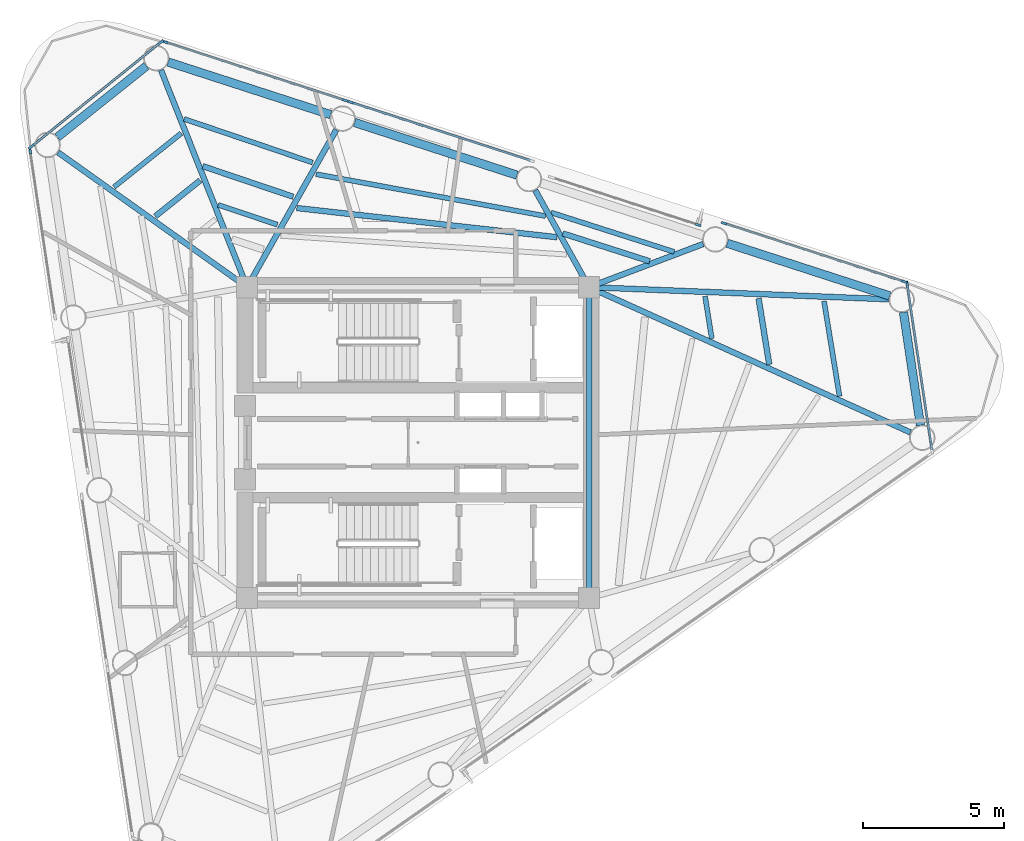
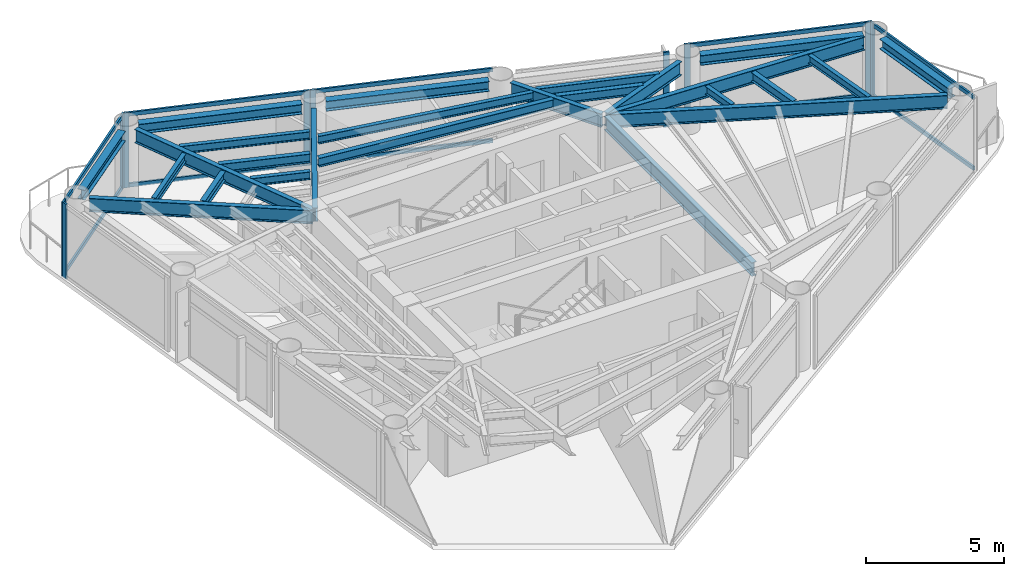
# One storey, part 3 of 9: 25 beams, 20 members, 7 elements without a shape of their own.
"""IFC4 building model written with IfcOpenShell, lengths in metres."""

from ifc_helpers import new_model, si_unit, direction, frame, origin, origin_2d, place, context, subcontext, project, spatial, rectangle, i_section, extrude, source, transform, mapped, material, layer, layer_set, material_profile, profile_set, type_object, element, aggregate, save


model = new_model("IFC4")

# Units and contexts
model_context = context("Model", 3, precision=1e-05, world=origin(), true_north=direction((0.0, 1.0)))
body_context = subcontext(model_context, "Body", "Model", "MODEL_VIEW")
ifc_project = project(units=[si_unit("LENGTHUNIT", "METRE"), si_unit("AREAUNIT", "SQUARE_METRE"), si_unit("VOLUMEUNIT", "CUBIC_METRE"), si_unit("PLANEANGLEUNIT", "RADIAN"), si_unit("MASSUNIT", "GRAM", prefix="KILO")], contexts=[model_context])

# Site, building, storey
site_placement = place(None, origin())
site = spatial("IfcSite", under=ifc_project, at=site_placement, CompositionType="ELEMENT")
building_placement = place(site_placement, origin())
building = spatial("IfcBuilding", under=site, at=building_placement, Name="Yunling Apex Tower", CompositionType="ELEMENT")
storey_placement = place(building_placement, frame((0.0, 0.0, 257.550048828125)))
storey = spatial("IfcBuildingStorey", under=building, at=storey_placement, Name="L62", CompositionType="ELEMENT", Elevation=257.550048828125)

# Beams
ifc_material_1 = material(Name="Steel Q355B", Category="steel")
ifc_material_profile_1 = material_profile(ifc_material_1, i_section(OverallWidth=0.199951171875, OverallDepth=0.60009765625, WebThickness=0.010986328125, FlangeThickness=0.01708984375, FilletRadius=0.02197265625, at=origin_2d()))
ifc_profile_set_1 = profile_set([ifc_material_profile_1], Name="Steel Q355B")
beam_type_1 = type_object("IfcBeamType", Name="BG-PRI-5", PredefinedType="USERDEFINED", material=ifc_profile_set_1)
shared_shape_1 = source(origin(), body_context, "Body", "SweptSolid", [
    extrude(i_section(OverallWidth=0.199951171875, OverallDepth=0.60009765625, WebThickness=0.010986328125, FlangeThickness=0.01708984375, FilletRadius=0.02197265625, at=origin_2d()), origin(), (0.0, 0.0, 1.0), 10.7001953125),
])
beam_1_placement = place(storey_placement, frame((6.050048828125, -5.35009765625, 2.919921875), z_axis=(0.0, 1.0, 0.0), x_axis=(-1.0, 0.0, 0.0)))
element("IfcBeam", 1, at=beam_1_placement, inside=storey, type_object=beam_type_1, Name="L62 Core Ring Tie Beam 2", ObjectType="GIRDER", PredefinedType="USERDEFINED", context=body_context, shape_type="MappedRepresentation", body=[
    mapped(shared_shape_1, transform((0.0, 0.0, 0.0), scale=1.0)),
])
ifc_material_profile_2 = material_profile(ifc_material_1, i_section(OverallWidth=0.300048828125, OverallDepth=0.43994140625, WebThickness=0.010986328125, FlangeThickness=0.01806640625, FilletRadius=0.02197265625, at=origin_2d()))
ifc_profile_set_2 = profile_set([ifc_material_profile_2], Name="Steel Q355B")
beam_type_2 = type_object("IfcBeamType", Name="BP-SPN-3", PredefinedType="SPANDREL", material=ifc_profile_set_2)
shared_shape_2 = source(origin(), body_context, "Body", "SweptSolid", [
    extrude(i_section(OverallWidth=0.300048828125, OverallDepth=0.43994140625, WebThickness=0.010986328125, FlangeThickness=0.01806640625, FilletRadius=0.02197265625, at=origin_2d()), origin(), (0.0, 0.0, 1.0), 6.043701171875),
])
for number, where, z_axis, x_axis, name in (
    (2, (16.687744140625, 5.189208984375, 3.0), (-0.951260618597, 0.308388124782, 0.0), (-0.308388124782, -0.951260618597, 0.0), "L62 Perimeter Spandrel Beam 6"),
    (3, (3.5, 9.464111328125, 3.0), (-0.951264460229, 0.30837627455, 0.0), (-0.30837627455, -0.951264460229, 0.0), "L62 Perimeter Spandrel Beam 8"),
    (4, (-3.093994140625, 11.601806640625, 3.0), (-0.951276309474, 0.308339720167, 0.0), (-0.308339720167, -0.951276309474, 0.0), "L62 Perimeter Spandrel Beam 9"),
):
    element("IfcBeam", number, at=place(storey_placement, frame(where, z_axis=z_axis, x_axis=x_axis)), inside=storey, type_object=beam_type_2, Name=name, PredefinedType="SPANDREL", context=body_context, shape_type="MappedRepresentation", body=[
        mapped(shared_shape_2, transform((0.0, 0.0, 0.0), scale=1.0)),
    ])
shared_shape_3 = source(origin(), body_context, "Body", "SweptSolid", [
    extrude(i_section(OverallWidth=0.300048828125, OverallDepth=0.43994140625, WebThickness=0.010986328125, FlangeThickness=0.01806640625, FilletRadius=0.02197265625, at=origin_2d()), origin(), (0.0, 0.0, 1.0), 4.047607421875),
])
beam_2_placement = place(storey_placement, frame((17.774169921875, 0.610107421875, 3.0), z_axis=(-0.147836074483, 0.98901187813, 0.0), x_axis=(-0.98901187813, -0.147836074483, 0.0)))
element("IfcBeam", 5, at=beam_2_placement, inside=storey, type_object=beam_type_2, Name="L62 Perimeter Spandrel Beam 5", PredefinedType="SPANDREL", context=body_context, shape_type="MappedRepresentation", body=[
    mapped(shared_shape_3, transform((0.0, 0.0, 0.0), scale=1.0)),
])
shared_shape_4 = source(origin(), body_context, "Body", "SweptSolid", [
    extrude(i_section(OverallWidth=0.300048828125, OverallDepth=0.43994140625, WebThickness=0.010986328125, FlangeThickness=0.01806640625, FilletRadius=0.02197265625, at=origin_2d()), origin(), (0.0, 0.0, 1.0), 4.03125),
])
beam_3_placement = place(storey_placement, frame((-9.612548828125, 13.3251953125, 3.0), z_axis=(-0.781412081213, -0.624015351842, 0.0), x_axis=(0.624015351842, -0.781412081213, 0.0)))
element("IfcBeam", 6, at=beam_3_placement, inside=storey, type_object=beam_type_2, Name="L62 Perimeter Spandrel Beam 10", PredefinedType="SPANDREL", context=body_context, shape_type="MappedRepresentation", body=[
    mapped(shared_shape_4, transform((0.0, 0.0, 0.0), scale=1.0)),
])
shared_shape_5 = source(origin(), body_context, "Body", "SweptSolid", [
    extrude(i_section(OverallWidth=0.199951171875, OverallDepth=0.60009765625, WebThickness=0.010986328125, FlangeThickness=0.01708984375, FilletRadius=0.02197265625, at=origin_2d()), origin(), (0.0, 0.0, 1.0), 12.400146484375),
])
beam_4_placement = place(storey_placement, frame((17.42236328125, 0.359619140625, 2.919921875), z_axis=(-0.911237617223, 0.411881056809, 0.0), x_axis=(-0.411881056809, -0.911237617223, 0.0)))
element("IfcBeam", 7, at=beam_4_placement, inside=storey, type_object=beam_type_1, Name="L62 Radial Primary Girder R05", ObjectType="GIRDER", PredefinedType="USERDEFINED", context=body_context, shape_type="MappedRepresentation", body=[
    mapped(shared_shape_5, transform((0.0, 0.0, 0.0), scale=1.0)),
])
shared_shape_6 = source(origin(), body_context, "Body", "SweptSolid", [
    extrude(i_section(OverallWidth=0.199951171875, OverallDepth=0.60009765625, WebThickness=0.010986328125, FlangeThickness=0.01708984375, FilletRadius=0.02197265625, at=origin_2d()), origin(), (0.0, 0.0, 1.0), 10.53125),
])
beam_5_placement = place(storey_placement, frame((16.652587890625, 5.07080078125, 2.919921875), z_axis=(-0.99918143594, 0.040453158992, 0.0), x_axis=(-0.040453158992, -0.99918143594, 0.0)))
element("IfcBeam", 8, at=beam_5_placement, inside=storey, type_object=beam_type_1, Name="L62 Radial Primary Girder R06", ObjectType="GIRDER", PredefinedType="USERDEFINED", context=body_context, shape_type="MappedRepresentation", body=[
    mapped(shared_shape_6, transform((0.0, 0.0, 0.0), scale=1.0)),
])
shared_shape_7 = source(origin(), body_context, "Body", "SweptSolid", [
    extrude(i_section(OverallWidth=0.199951171875, OverallDepth=0.60009765625, WebThickness=0.010986328125, FlangeThickness=0.01708984375, FilletRadius=0.02197265625, at=origin_2d()), origin(), (0.0, 0.0, 1.0), 4.2373046875),
])
beam_6_placement = place(storey_placement, frame((10.087890625, 7.02783203125, 2.919921875), z_axis=(-0.935290380754, -0.353881199938, 0.0), x_axis=(0.353881199938, -0.935290380754, 0.0)))
element("IfcBeam", 9, at=beam_6_placement, inside=storey, type_object=beam_type_1, Name="L62 Radial Primary Girder R07", ObjectType="GIRDER", PredefinedType="USERDEFINED", context=body_context, shape_type="MappedRepresentation", body=[
    mapped(shared_shape_7, transform((0.0, 0.0, 0.0), scale=1.0)),
])
shared_shape_8 = source(origin(), body_context, "Body", "SweptSolid", [
    extrude(i_section(OverallWidth=0.199951171875, OverallDepth=0.60009765625, WebThickness=0.010986328125, FlangeThickness=0.01708984375, FilletRadius=0.02197265625, at=origin_2d()), origin(), (0.0, 0.0, 1.0), 3.841064453125),
])
beam_7_placement = place(storey_placement, frame((4.144775390625, 8.927001953125, 2.919921875), z_axis=(0.485864181632, -0.874034322557, 0.0), x_axis=(0.874034322557, 0.485864181632, 0.0)))
element("IfcBeam", 10, at=beam_7_placement, inside=storey, type_object=beam_type_1, Name="L62 Radial Primary Girder R08", ObjectType="GIRDER", PredefinedType="USERDEFINED", context=body_context, shape_type="MappedRepresentation", body=[
    mapped(shared_shape_8, transform((0.0, 0.0, 0.0), scale=1.0)),
])
shared_shape_9 = source(origin(), body_context, "Body", "SweptSolid", [
    extrude(i_section(OverallWidth=0.199951171875, OverallDepth=0.60009765625, WebThickness=0.010986328125, FlangeThickness=0.01708984375, FilletRadius=0.02197265625, at=origin_2d()), origin(), (0.0, 0.0, 1.0), 6.317138671875),
])
beam_8_placement = place(storey_placement, frame((-2.8974609375, 11.06640625, 2.919921875), z_axis=(-0.492793153417, -0.870146486487, 0.0), x_axis=(0.870146486487, -0.492793153417, 0.0)))
element("IfcBeam", 11, at=beam_8_placement, inside=storey, type_object=beam_type_1, Name="L62 Radial Primary Girder R09", ObjectType="GIRDER", PredefinedType="USERDEFINED", context=body_context, shape_type="MappedRepresentation", body=[
    mapped(shared_shape_9, transform((0.0, 0.0, 0.0), scale=1.0)),
])
shared_shape_10 = source(origin(), body_context, "Body", "SweptSolid", [
    extrude(i_section(OverallWidth=0.199951171875, OverallDepth=0.60009765625, WebThickness=0.010986328125, FlangeThickness=0.01708984375, FilletRadius=0.02197265625, at=origin_2d()), origin(), (0.0, 0.0, 1.0), 8.178955078125),
])
beam_9_placement = place(storey_placement, frame((-9.0966796875, 13.176513671875, 2.919921875), z_axis=(0.368888092437, -0.929473816338, 0.0), x_axis=(0.929473816338, 0.368888092437, 0.0)))
element("IfcBeam", 12, at=beam_9_placement, inside=storey, type_object=beam_type_1, Name="L62 Radial Primary Girder R10", ObjectType="GIRDER", PredefinedType="USERDEFINED", context=body_context, shape_type="MappedRepresentation", body=[
    mapped(shared_shape_10, transform((0.0, 0.0, 0.0), scale=1.0)),
])
shared_shape_11 = source(origin(), body_context, "Body", "SweptSolid", [
    extrude(i_section(OverallWidth=0.199951171875, OverallDepth=0.60009765625, WebThickness=0.010986328125, FlangeThickness=0.01708984375, FilletRadius=0.02197265625, at=origin_2d()), origin(), (0.0, 0.0, 1.0), 8.132080078125),
])
beam_10_placement = place(storey_placement, frame((-12.73681640625, 10.2666015625, 2.919921875), z_axis=(0.814294994921, -0.580451256564, 0.0), x_axis=(0.580451256564, 0.814294994921, 0.0)))
element("IfcBeam", 13, at=beam_10_placement, inside=storey, type_object=beam_type_1, Name="L62 Radial Primary Girder R11", ObjectType="GIRDER", PredefinedType="USERDEFINED", context=body_context, shape_type="MappedRepresentation", body=[
    mapped(shared_shape_11, transform((0.0, 0.0, 0.0), scale=1.0)),
])
ifc_material_profile_3 = material_profile(ifc_material_1, i_section(OverallWidth=0.199951171875, OverallDepth=0.39990234375, WebThickness=0.008056640625, FlangeThickness=0.012939453125, FilletRadius=0.01611328125, at=origin_2d()))
ifc_profile_set_3 = profile_set([ifc_material_profile_3], Name="Steel Q355B")
beam_type_3 = type_object("IfcBeamType", Name="BS-SEC-4", PredefinedType="BEAM", material=ifc_profile_set_3)
shared_shape_12 = source(origin(), body_context, "Body", "SweptSolid", [
    extrude(i_section(OverallWidth=0.199951171875, OverallDepth=0.39990234375, WebThickness=0.008056640625, FlangeThickness=0.012939453125, FilletRadius=0.01611328125, at=origin_2d()), origin(), (0.0, 0.0, 1.0), 2.36572265625),
])
beam_11_placement = place(storey_placement, frame((12.425048828125, 2.764892578125, 3.02001953125), z_axis=(-0.159342756426, 0.987223321227, 0.0), x_axis=(-0.987223321227, -0.159342756426, 0.0)))
element("IfcBeam", 14, at=beam_11_placement, inside=storey, type_object=beam_type_3, Name="L62 Composite Floor Beam BS-5", PredefinedType="BEAM", context=body_context, shape_type="MappedRepresentation", body=[
    mapped(shared_shape_12, transform((0.0, 0.0, 0.0), scale=1.0)),
])
ifc_material_profile_4 = material_profile(ifc_material_1, i_section(OverallWidth=0.175048828125, OverallDepth=0.35009765625, WebThickness=0.007080078125, FlangeThickness=0.010986328125, FilletRadius=0.013916015625, at=origin_2d()))
ifc_profile_set_4 = profile_set([ifc_material_profile_4], Name="Steel Q355B")
beam_type_4 = type_object("IfcBeamType", Name="BJ-JST-1", PredefinedType="JOIST", material=ifc_profile_set_4)
shared_shape_13 = source(origin(), body_context, "Body", "SweptSolid", [
    extrude(i_section(OverallWidth=0.175048828125, OverallDepth=0.35009765625, WebThickness=0.007080078125, FlangeThickness=0.010986328125, FilletRadius=0.013916015625, at=origin_2d()), origin(), (0.0, 0.0, 1.0), 3.40966796875),
])
beam_12_placement = place(storey_placement, frame((14.910888671875, 1.64111328125, 3.044921875), z_axis=(-0.160600982695, 0.987019414377, 0.0), x_axis=(-0.987019414377, -0.160600982695, 0.0)))
element("IfcBeam", 15, at=beam_12_placement, inside=storey, type_object=beam_type_4, Name="L62 Composite Floor Joist BJ1-5", PredefinedType="JOIST", context=body_context, shape_type="MappedRepresentation", body=[
    mapped(shared_shape_13, transform((0.0, 0.0, 0.0), scale=1.0)),
])
shared_shape_14 = source(origin(), body_context, "Body", "SweptSolid", [
    extrude(i_section(OverallWidth=0.175048828125, OverallDepth=0.35009765625, WebThickness=0.007080078125, FlangeThickness=0.010986328125, FilletRadius=0.013916015625, at=origin_2d()), origin(), (0.0, 0.0, 1.0), 1.51171875),
])
beam_13_placement = place(storey_placement, frame((10.3916015625, 3.68408203125, 3.044921875), z_axis=(-0.157297614413, 0.987551244493, 0.0), x_axis=(-0.987551244493, -0.157297614413, 0.0)))
element("IfcBeam", 16, at=beam_13_placement, inside=storey, type_object=beam_type_4, Name="L62 Composite Floor Joist BJ3-5", PredefinedType="JOIST", context=body_context, shape_type="MappedRepresentation", body=[
    mapped(shared_shape_14, transform((0.0, 0.0, 0.0), scale=1.0)),
])
shared_shape_15 = source(origin(), body_context, "Body", "SweptSolid", [
    extrude(i_section(OverallWidth=0.199951171875, OverallDepth=0.39990234375, WebThickness=0.008056640625, FlangeThickness=0.012939453125, FilletRadius=0.01611328125, at=origin_2d()), origin(), (0.0, 0.0, 1.0), 3.22705078125),
])
beam_14_placement = place(storey_placement, frame((8.191650390625, 6.416748046875, 3.02001953125), z_axis=(-0.952339781695, 0.305039243708, 0.0), x_axis=(-0.305039243708, -0.952339781695, 0.0)))
element("IfcBeam", 17, at=beam_14_placement, inside=storey, type_object=beam_type_3, Name="L62 Composite Floor Beam BS-7", PredefinedType="BEAM", context=body_context, shape_type="MappedRepresentation", body=[
    mapped(shared_shape_15, transform((0.0, 0.0, 0.0), scale=1.0)),
])
shared_shape_16 = source(origin(), body_context, "Body", "SweptSolid", [
    extrude(i_section(OverallWidth=0.175048828125, OverallDepth=0.35009765625, WebThickness=0.007080078125, FlangeThickness=0.010986328125, FilletRadius=0.013916015625, at=origin_2d()), origin(), (0.0, 0.0, 1.0), 4.572998046875),
])
beam_15_placement = place(storey_placement, frame((9.0634765625, 6.74658203125, 3.044921875), z_axis=(-0.952472485452, 0.304624628776, 0.0), x_axis=(-0.304624628776, -0.952472485452, 0.0)))
element("IfcBeam", 18, at=beam_15_placement, inside=storey, type_object=beam_type_4, Name="L62 Composite Floor Joist BJ1-7", PredefinedType="JOIST", context=body_context, shape_type="MappedRepresentation", body=[
    mapped(shared_shape_16, transform((0.0, 0.0, 0.0), scale=1.0)),
])
shared_shape_17 = source(origin(), body_context, "Body", "SweptSolid", [
    extrude(i_section(OverallWidth=0.199951171875, OverallDepth=0.39990234375, WebThickness=0.008056640625, FlangeThickness=0.012939453125, FilletRadius=0.01611328125, at=origin_2d()), origin(), (0.0, 0.0, 1.0), 9.271728515625),
])
beam_16_placement = place(storey_placement, frame((4.9189453125, 7.266357421875, 3.02001953125), z_axis=(-0.993765641634, 0.111489234941, 0.0), x_axis=(-0.111489234941, -0.993765641634, 0.0)))
element("IfcBeam", 19, at=beam_16_placement, inside=storey, type_object=beam_type_3, Name="L62 Composite Floor Beam BS-8", PredefinedType="BEAM", context=body_context, shape_type="MappedRepresentation", body=[
    mapped(shared_shape_17, transform((0.0, 0.0, 0.0), scale=1.0)),
])
shared_shape_18 = source(origin(), body_context, "Body", "SweptSolid", [
    extrude(i_section(OverallWidth=0.175048828125, OverallDepth=0.35009765625, WebThickness=0.007080078125, FlangeThickness=0.010986328125, FilletRadius=0.013916015625, at=origin_2d()), origin(), (0.0, 0.0, 1.0), 8.256103515625),
])
beam_17_placement = place(storey_placement, frame((4.510009765625, 8.015625, 3.044921875), z_axis=(-0.983737162393, 0.179614017626, 0.0), x_axis=(-0.179614017626, -0.983737162393, 0.0)))
element("IfcBeam", 20, at=beam_17_placement, inside=storey, type_object=beam_type_4, Name="L62 Composite Floor Joist BJ1-8", PredefinedType="JOIST", context=body_context, shape_type="MappedRepresentation", body=[
    mapped(shared_shape_18, transform((0.0, 0.0, 0.0), scale=1.0)),
])
shared_shape_19 = source(origin(), body_context, "Body", "SweptSolid", [
    extrude(i_section(OverallWidth=0.199951171875, OverallDepth=0.39990234375, WebThickness=0.008056640625, FlangeThickness=0.012939453125, FilletRadius=0.01611328125, at=origin_2d()), origin(), (0.0, 0.0, 1.0), 3.37646484375),
])
beam_18_placement = place(storey_placement, frame((-4.418701171875, 8.698974609375, 3.02001953125), z_axis=(-0.947337172377, 0.320237851966, 0.0), x_axis=(-0.320237851966, -0.947337172377, 0.0)))
element("IfcBeam", 21, at=beam_18_placement, inside=storey, type_object=beam_type_3, Name="L62 Composite Floor Beam BS-9", PredefinedType="BEAM", context=body_context, shape_type="MappedRepresentation", body=[
    mapped(shared_shape_19, transform((0.0, 0.0, 0.0), scale=1.0)),
])
shared_shape_20 = source(origin(), body_context, "Body", "SweptSolid", [
    extrude(i_section(OverallWidth=0.175048828125, OverallDepth=0.35009765625, WebThickness=0.007080078125, FlangeThickness=0.010986328125, FilletRadius=0.013916015625, at=origin_2d()), origin(), (0.0, 0.0, 1.0), 4.802490234375),
])
beam_19_placement = place(storey_placement, frame((-3.73388671875, 9.908447265625, 3.044921875), z_axis=(-0.946894147211, 0.32154544621, 0.0), x_axis=(-0.32154544621, -0.946894147211, 0.0)))
element("IfcBeam", 22, at=beam_19_placement, inside=storey, type_object=beam_type_4, Name="L62 Composite Floor Joist BJ1-9", PredefinedType="JOIST", context=body_context, shape_type="MappedRepresentation", body=[
    mapped(shared_shape_20, transform((0.0, 0.0, 0.0), scale=1.0)),
])
shared_shape_21 = source(origin(), body_context, "Body", "SweptSolid", [
    extrude(i_section(OverallWidth=0.175048828125, OverallDepth=0.35009765625, WebThickness=0.007080078125, FlangeThickness=0.010986328125, FilletRadius=0.013916015625, at=origin_2d()), origin(), (0.0, 0.0, 1.0), 2.209716796875),
])
beam_20_placement = place(storey_placement, frame((-4.979248046875, 7.709228515625, 3.044921875), z_axis=(-0.948029450248, 0.318182591389, 0.0), x_axis=(-0.318182591389, -0.948029450248, 0.0)))
element("IfcBeam", 23, at=beam_20_placement, inside=storey, type_object=beam_type_4, Name="L62 Composite Floor Joist BJ3-9", PredefinedType="JOIST", context=body_context, shape_type="MappedRepresentation", body=[
    mapped(shared_shape_21, transform((0.0, 0.0, 0.0), scale=1.0)),
])
shared_shape_22 = source(origin(), body_context, "Body", "SweptSolid", [
    extrude(i_section(OverallWidth=0.199951171875, OverallDepth=0.39990234375, WebThickness=0.008056640625, FlangeThickness=0.012939453125, FilletRadius=0.01611328125, at=origin_2d()), origin(), (0.0, 0.0, 1.0), 2.032958984375),
])
beam_21_placement = place(storey_placement, frame((-7.712890625, 9.275634765625, 3.02001953125), z_axis=(-0.781161617118, -0.624328862013, 0.0), x_axis=(0.624328862013, -0.781161617118, 0.0)))
element("IfcBeam", 24, at=beam_21_placement, inside=storey, type_object=beam_type_3, Name="L62 Composite Floor Beam BS-10", PredefinedType="BEAM", context=body_context, shape_type="MappedRepresentation", body=[
    mapped(shared_shape_22, transform((0.0, 0.0, 0.0), scale=1.0)),
])
shared_shape_23 = source(origin(), body_context, "Body", "SweptSolid", [
    extrude(i_section(OverallWidth=0.175048828125, OverallDepth=0.35009765625, WebThickness=0.007080078125, FlangeThickness=0.010986328125, FilletRadius=0.013916015625, at=origin_2d()), origin(), (0.0, 0.0, 1.0), 3.048095703125),
])
beam_22_placement = place(storey_placement, frame((-8.376708984375, 10.947998046875, 3.044921875), z_axis=(-0.78115784601, -0.624333580401, 0.0), x_axis=(0.624333580401, -0.78115784601, 0.0)))
element("IfcBeam", 25, at=beam_22_placement, inside=storey, type_object=beam_type_4, Name="L62 Composite Floor Joist BJ1-10", PredefinedType="JOIST", context=body_context, shape_type="MappedRepresentation", body=[
    mapped(shared_shape_23, transform((0.0, 0.0, 0.0), scale=1.0)),
])

# Curtain wall, member
ifc_material_2 = material(Name="Bronze anodised aluminium", Category="aluminium")
ifc_layer = layer(ifc_material_2, 0.219970703125)
ifc_layer_set = layer_set([ifc_layer], Name="Bronze anodised aluminium")
curtain_wall_type = type_object("IfcCurtainWallType", Name="CW-SYS-4", PredefinedType="NOTDEFINED", material=ifc_layer_set)
curtain_wall_1_placement = place(storey_placement, origin())
curtain_wall_1 = element("IfcCurtainWall", 26, at=curtain_wall_1_placement, inside=storey, type_object=curtain_wall_type, Name="CW-L62-CRN1", PredefinedType="NOTDEFINED")
ifc_material_profile_5 = material_profile(ifc_material_2, rectangle(XDim=0.080078125, YDim=0.219970703125, at=origin_2d()))
ifc_profile_set_5 = profile_set([ifc_material_profile_5], Name="Bronze anodised aluminium")
member_type_1 = type_object("IfcMemberType", Name="CW-MUL-4", PredefinedType="MULLION", material=ifc_profile_set_5)
shared_shape_24 = source(origin(), body_context, "Body", "SweptSolid", [
    extrude(rectangle(XDim=0.080078125, YDim=0.219970703125, at=origin_2d()), origin(), (0.0, 0.0, 1.0), 3.320068359375),
])
member_1_placement = place(storey_placement, frame((17.307373046875, 5.6025390625, -0.050048828125), z_axis=(0.0, 0.0, 1.0), x_axis=(-0.989016885218, -0.147802573571, 0.0)))
member_1 = element("IfcMember", 27, at=member_1_placement, type_object=member_type_1, Name="CW-SYS-4 mullion 2", PredefinedType="MULLION", context=body_context, shape_type="MappedRepresentation", body=[
    mapped(shared_shape_24, transform((0.0, 0.0, 0.0), scale=1.0)),
])

# Curtain wall, members
curtain_wall_2_placement = place(storey_placement, origin())
curtain_wall_2 = element("IfcCurtainWall", 28, at=curtain_wall_2_placement, inside=storey, type_object=curtain_wall_type, Name="CW-L62-F2-B1", PredefinedType="NOTDEFINED")
member_2_placement = place(storey_placement, frame((17.193359375, 5.6982421875, -0.050048828125), z_axis=(0.0, 0.0, 1.0), x_axis=(-0.308353381834, -0.951271881173, 0.0)))
member_2 = element("IfcMember", 29, at=member_2_placement, type_object=member_type_1, Name="CW-SYS-4 mullion 1", PredefinedType="MULLION", context=body_context, shape_type="MappedRepresentation", body=[
    mapped(shared_shape_24, transform((0.0, 0.0, 0.0), scale=1.0)),
])
member_3_placement = place(storey_placement, frame((10.82763671875, 7.76171875, -0.050048828125), z_axis=(0.0, 0.0, 1.0), x_axis=(-0.308353381834, -0.951271881173, 0.0)))
member_3 = element("IfcMember", 30, at=member_3_placement, type_object=member_type_1, Name="CW-SYS-4 mullion 2", PredefinedType="MULLION", context=body_context, shape_type="MappedRepresentation", body=[
    mapped(shared_shape_24, transform((0.0, 0.0, 0.0), scale=1.0)),
])

# Curtain wall, member
curtain_wall_3_placement = place(storey_placement, origin())
curtain_wall_3 = element("IfcCurtainWall", 31, at=curtain_wall_3_placement, inside=storey, type_object=curtain_wall_type, Name="CW-L62-F2-B2", PredefinedType="NOTDEFINED")
member_4_placement = place(storey_placement, frame((9.90478515625, 7.703369140625, -0.050048828125), z_axis=(0.0, 0.0, 1.0), x_axis=(-0.30836941685, -0.951266683297, 0.0)))
member_4 = element("IfcMember", 32, at=member_4_placement, type_object=member_type_1, Name="CW-SYS-4 mullion 1", PredefinedType="MULLION", context=body_context, shape_type="MappedRepresentation", body=[
    mapped(shared_shape_24, transform((0.0, 0.0, 0.0), scale=1.0)),
])
aggregate(curtain_wall_3, [member_4])

curtain_wall_4_placement = place(storey_placement, origin())
curtain_wall_4 = element("IfcCurtainWall", 33, at=curtain_wall_4_placement, inside=storey, type_object=curtain_wall_type, Name="CW-L62-F2-B3", PredefinedType="NOTDEFINED")
member_5_placement = place(storey_placement, frame((-2.360107421875, 12.03662109375, -0.050048828125), z_axis=(0.0, 0.0, 1.0), x_axis=(-0.308371076658, -0.95126614524, 0.0)))
member_5 = element("IfcMember", 34, at=member_5_placement, type_object=member_type_1, Name="CW-SYS-4 mullion 2", PredefinedType="MULLION", context=body_context, shape_type="MappedRepresentation", body=[
    mapped(shared_shape_24, transform((0.0, 0.0, 0.0), scale=1.0)),
])

# Curtain wall, members
curtain_wall_5_placement = place(storey_placement, origin())
curtain_wall_5 = element("IfcCurtainWall", 35, at=curtain_wall_5_placement, inside=storey, type_object=curtain_wall_type, Name="CW-L62-F2-B4", PredefinedType="NOTDEFINED")
member_6_placement = place(storey_placement, frame((-2.58837890625, 12.110595703125, -0.050048828125), z_axis=(0.0, 0.0, 1.0), x_axis=(-0.308353381834, -0.951271881173, 0.0)))
member_6 = element("IfcMember", 36, at=member_6_placement, type_object=member_type_1, Name="CW-SYS-4 mullion 1", PredefinedType="MULLION", context=body_context, shape_type="MappedRepresentation", body=[
    mapped(shared_shape_24, transform((0.0, 0.0, 0.0), scale=1.0)),
])
member_7_placement = place(storey_placement, frame((-8.9541015625, 14.174072265625, -0.050048828125), z_axis=(0.0, 0.0, 1.0), x_axis=(-0.308353381834, -0.951271881173, 0.0)))
member_7 = element("IfcMember", 37, at=member_7_placement, type_object=member_type_1, Name="CW-SYS-4 mullion 2", PredefinedType="MULLION", context=body_context, shape_type="MappedRepresentation", body=[
    mapped(shared_shape_24, transform((0.0, 0.0, 0.0), scale=1.0)),
])

curtain_wall_6_placement = place(storey_placement, origin())
curtain_wall_6 = element("IfcCurtainWall", 38, at=curtain_wall_6_placement, inside=storey, type_object=curtain_wall_type, Name="CW-L62-CRN2", PredefinedType="NOTDEFINED")
member_8_placement = place(storey_placement, frame((-9.10546875, 14.1669921875, -0.050048828125), z_axis=(0.0, 0.0, 1.0), x_axis=(0.627988675266, -0.778222477019, 0.0)))
member_8 = element("IfcMember", 39, at=member_8_placement, type_object=member_type_1, Name="CW-SYS-4 mullion 1", PredefinedType="MULLION", context=body_context, shape_type="MappedRepresentation", body=[
    mapped(shared_shape_24, transform((0.0, 0.0, 0.0), scale=1.0)),
])
member_9_placement = place(storey_placement, frame((-13.69189453125, 10.4658203125, -0.050048828125), z_axis=(0.0, 0.0, 1.0), x_axis=(0.627988675266, -0.778222477019, 0.0)))
member_9 = element("IfcMember", 40, at=member_9_placement, type_object=member_type_1, Name="CW-SYS-4 mullion 2", PredefinedType="MULLION", context=body_context, shape_type="MappedRepresentation", body=[
    mapped(shared_shape_24, transform((0.0, 0.0, 0.0), scale=1.0)),
])

# Curtain wall, member
curtain_wall_7_placement = place(storey_placement, origin())
curtain_wall_7 = element("IfcCurtainWall", 41, at=curtain_wall_7_placement, inside=storey, type_object=curtain_wall_type, Name="CW-L62-F3-B1", PredefinedType="NOTDEFINED")
member_10_placement = place(storey_placement, frame((-13.72509765625, 10.3193359375, -0.050048828125), z_axis=(0.0, 0.0, 1.0), x_axis=(0.989016174309, 0.147807330522, 0.0)))
member_10 = element("IfcMember", 42, at=member_10_placement, type_object=member_type_1, Name="CW-SYS-4 mullion 1", PredefinedType="MULLION", context=body_context, shape_type="MappedRepresentation", body=[
    mapped(shared_shape_24, transform((0.0, 0.0, 0.0), scale=1.0)),
])
aggregate(curtain_wall_7, [member_10])

# Member
ifc_material_profile_6 = material_profile(ifc_material_2, rectangle(XDim=0.080078125, YDim=0.169921875, at=origin_2d()))
ifc_profile_set_6 = profile_set([ifc_material_profile_6], Name="Bronze anodised aluminium")
member_type_2 = type_object("IfcMemberType", Name="CW-TRN-4", PredefinedType="USERDEFINED", material=ifc_profile_set_6)
shared_shape_25 = source(origin(), body_context, "Body", "SweptSolid", [
    extrude(rectangle(XDim=0.080078125, YDim=0.169921875, at=origin_2d()), origin(), (0.0, 0.0, 1.0), 6.61962890625),
])
member_11_placement = place(storey_placement, frame((-2.622802734375, 12.121826171875, 0.0400390625), z_axis=(-0.951269317575, 0.308361290437, 0.0), x_axis=(-0.308361290437, -0.951269317575, 0.0)))
member_11 = element("IfcMember", 43, at=member_11_placement, type_object=member_type_2, Name="CW-SYS-4 transom 1.1", ObjectType="TRANSOM", PredefinedType="USERDEFINED", context=body_context, shape_type="MappedRepresentation", body=[
    mapped(shared_shape_25, transform((0.0, 0.0, 0.0), scale=1.0)),
])

member_12_placement = place(storey_placement, frame((-2.622802734375, 12.121826171875, 3.179931640625), z_axis=(-0.951269317575, 0.308361290437, 0.0), x_axis=(-0.308361290437, -0.951269317575, 0.0)))
member_12 = element("IfcMember", 44, at=member_12_placement, type_object=member_type_2, Name="CW-SYS-4 transom 1.2", ObjectType="TRANSOM", PredefinedType="USERDEFINED", context=body_context, shape_type="MappedRepresentation", body=[
    mapped(shared_shape_25, transform((0.0, 0.0, 0.0), scale=1.0)),
])

aggregate(curtain_wall_5, [member_6, member_7, member_11, member_12])

shared_shape_26 = source(origin(), body_context, "Body", "SweptSolid", [
    extrude(rectangle(XDim=0.080078125, YDim=0.169921875, at=origin_2d()), origin(), (0.0, 0.0, 1.0), 6.619873046875),
])
member_13_placement = place(storey_placement, frame((17.1591796875, 5.709228515625, 0.0400390625), z_axis=(-0.951272824274, 0.308350472348, 0.0), x_axis=(-0.308350472348, -0.951272824274, 0.0)))
member_13 = element("IfcMember", 45, at=member_13_placement, type_object=member_type_2, Name="CW-SYS-4 transom 1.1", ObjectType="TRANSOM", PredefinedType="USERDEFINED", context=body_context, shape_type="MappedRepresentation", body=[
    mapped(shared_shape_26, transform((0.0, 0.0, 0.0), scale=1.0)),
])

member_14_placement = place(storey_placement, frame((17.1591796875, 5.709228515625, 3.179931640625), z_axis=(-0.951272824274, 0.308350472348, 0.0), x_axis=(-0.308350472348, -0.951272824274, 0.0)))
member_14 = element("IfcMember", 46, at=member_14_placement, type_object=member_type_2, Name="CW-SYS-4 transom 1.2", ObjectType="TRANSOM", PredefinedType="USERDEFINED", context=body_context, shape_type="MappedRepresentation", body=[
    mapped(shared_shape_26, transform((0.0, 0.0, 0.0), scale=1.0)),
])

aggregate(curtain_wall_2, [member_2, member_3, member_13, member_14])

member_15_placement = place(storey_placement, frame((3.97119140625, 9.984130859375, 0.0400390625), z_axis=(-0.951258498664, 0.308394663895, 0.0), x_axis=(-0.308394663895, -0.951258498664, 0.0)))
member_15 = element("IfcMember", 47, at=member_15_placement, type_object=member_type_2, Name="CW-SYS-4 transom 1.1", ObjectType="TRANSOM", PredefinedType="USERDEFINED", context=body_context, shape_type="MappedRepresentation", body=[
    mapped(shared_shape_26, transform((0.0, 0.0, 0.0), scale=1.0)),
])

member_16_placement = place(storey_placement, frame((3.97119140625, 9.984130859375, 3.179931640625), z_axis=(-0.951258498664, 0.308394663895, 0.0), x_axis=(-0.308394663895, -0.951258498664, 0.0)))
member_16 = element("IfcMember", 48, at=member_16_placement, type_object=member_type_2, Name="CW-SYS-4 transom 1.2", ObjectType="TRANSOM", PredefinedType="USERDEFINED", context=body_context, shape_type="MappedRepresentation", body=[
    mapped(shared_shape_26, transform((0.0, 0.0, 0.0), scale=1.0)),
])

aggregate(curtain_wall_4, [member_5, member_15, member_16])

shared_shape_27 = source(origin(), body_context, "Body", "SweptSolid", [
    extrude(rectangle(XDim=0.080078125, YDim=0.169921875, at=origin_2d()), origin(), (0.0, 0.0, 1.0), 5.89404296875),
])
member_17_placement = place(storey_placement, frame((18.183837890625, -0.26220703125, 0.0400390625), z_axis=(-0.147791520702, 0.989018536939, 0.0), x_axis=(-0.989018536939, -0.147791520702, 0.0)))
member_17 = element("IfcMember", 49, at=member_17_placement, type_object=member_type_2, Name="CW-SYS-4 transom 1.1", ObjectType="TRANSOM", PredefinedType="USERDEFINED", context=body_context, shape_type="MappedRepresentation", body=[
    mapped(shared_shape_27, transform((0.0, 0.0, 0.0), scale=1.0)),
])

member_18_placement = place(storey_placement, frame((18.183837890625, -0.26220703125, 3.179931640625), z_axis=(-0.147791520702, 0.989018536939, 0.0), x_axis=(-0.989018536939, -0.147791520702, 0.0)))
member_18 = element("IfcMember", 50, at=member_18_placement, type_object=member_type_2, Name="CW-SYS-4 transom 1.2", ObjectType="TRANSOM", PredefinedType="USERDEFINED", context=body_context, shape_type="MappedRepresentation", body=[
    mapped(shared_shape_27, transform((0.0, 0.0, 0.0), scale=1.0)),
])

aggregate(curtain_wall_1, [member_1, member_17, member_18])

shared_shape_28 = source(origin(), body_context, "Body", "SweptSolid", [
    extrude(rectangle(XDim=0.080078125, YDim=0.169921875, at=origin_2d()), origin(), (0.0, 0.0, 1.0), 5.8212890625),
])
member_19_placement = place(storey_placement, frame((-9.133544921875, 14.144287109375, 0.0400390625), z_axis=(-0.778218644613, -0.627993424469, 0.0), x_axis=(0.627993424469, -0.778218644613, 0.0)))
member_19 = element("IfcMember", 51, at=member_19_placement, type_object=member_type_2, Name="CW-SYS-4 transom 1.1", ObjectType="TRANSOM", PredefinedType="USERDEFINED", context=body_context, shape_type="MappedRepresentation", body=[
    mapped(shared_shape_28, transform((0.0, 0.0, 0.0), scale=1.0)),
])

member_20_placement = place(storey_placement, frame((-9.133544921875, 14.144287109375, 3.179931640625), z_axis=(-0.778218644613, -0.627993424469, 0.0), x_axis=(0.627993424469, -0.778218644613, 0.0)))
member_20 = element("IfcMember", 52, at=member_20_placement, type_object=member_type_2, Name="CW-SYS-4 transom 1.2", ObjectType="TRANSOM", PredefinedType="USERDEFINED", context=body_context, shape_type="MappedRepresentation", body=[
    mapped(shared_shape_28, transform((0.0, 0.0, 0.0), scale=1.0)),
])

aggregate(curtain_wall_6, [member_8, member_9, member_19, member_20])

save(model, "model.ifc")
